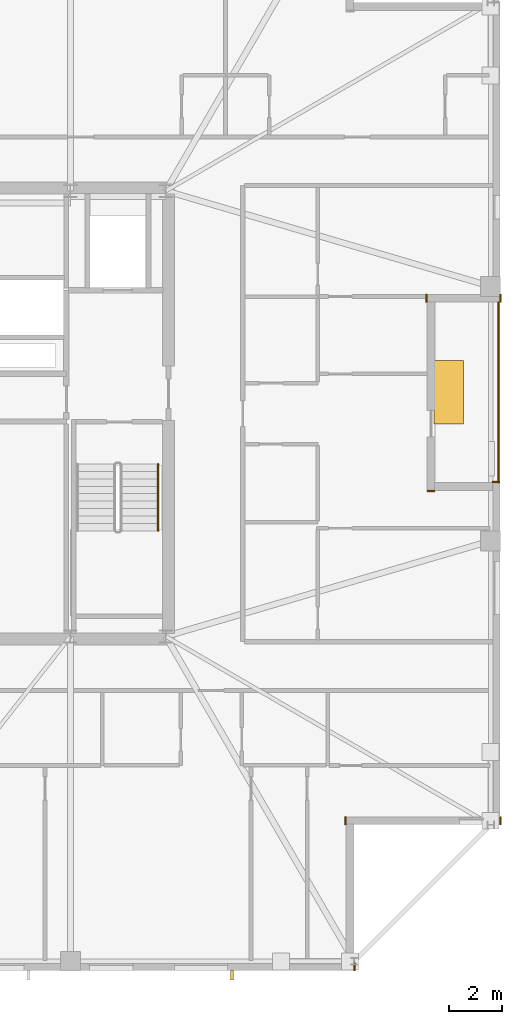
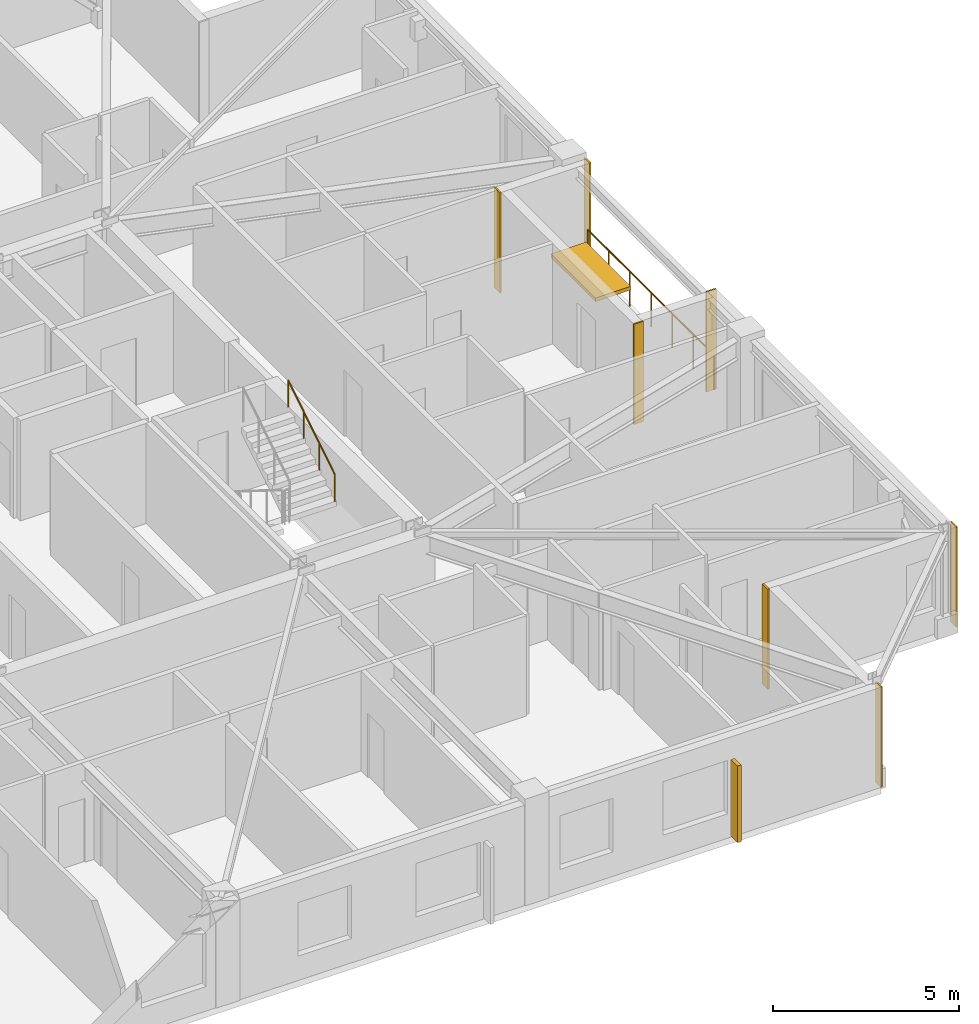
# One storey, part 13 of 14: 7 coverings, 2 railings, 2 shading devices.
"""IFC4 building model written with IfcOpenShell, lengths in metres."""

from ifc_helpers import new_model, si_unit, direction, frame, frame_2d, origin, origin_2d, place, context, subcontext, project, spatial, rectangle, circle, extrude, material, layer, layer_set, type_object, element, save


model = new_model("IFC4")

# Units and contexts
model_context = context("Model", 3, precision=1e-05, world=origin(), true_north=direction((0.0, 1.0)))
body_context = subcontext(model_context, "Body", "Model", "MODEL_VIEW")
ifc_project = project(units=[si_unit("LENGTHUNIT", "METRE"), si_unit("AREAUNIT", "SQUARE_METRE"), si_unit("VOLUMEUNIT", "CUBIC_METRE"), si_unit("PLANEANGLEUNIT", "RADIAN"), si_unit("MASSUNIT", "GRAM", prefix="KILO")], contexts=[model_context])

# Site, building, storey
site_placement = place(None, origin())
site = spatial("IfcSite", under=ifc_project, at=site_placement, CompositionType="ELEMENT")
building_placement = place(site_placement, origin())
building = spatial("IfcBuilding", under=site, at=building_placement, Name="Cairnveth Concourse Tower", CompositionType="ELEMENT")
storey_placement = place(building_placement, frame((0.0, 0.0, 308.5)))
storey = spatial("IfcBuildingStorey", under=building, at=storey_placement, Name="L85", CompositionType="ELEMENT", Elevation=308.5)

# Coverings
ifc_material_1 = material(Name="Dressed Melbourne Bluestone Cladding", Category="masonry")
ifc_layer = layer(ifc_material_1, 0.050048828125)
ifc_layer_set = layer_set([ifc_layer], Name="Dressed Melbourne Bluestone Cladding")
covering_type = type_object("IfcCoveringType", Name="DRESSED BLUESTONE PLINTH CLADDING 50", PredefinedType="CLADDING", material=ifc_layer_set)
for number, where, z_axis, x_axis, name in (
    (1, (72.699951171875, 36.419921875, 0.0), (0.0, 0.0, 1.0), (1.0, 0.0, 0.0), "Melbourne Bluestone Corner Quoin L85-1291"),
    (2, (73.02001953125, 23.800048828125, 0.0), (0.0, 0.0, 1.0), (0.0, -1.0, 0.0), "Melbourne Bluestone Corner Quoin L85-1292"),
    (3, (67.179931640625, 23.800048828125, 0.0), (0.0, 0.0, 1.0), (0.0, -1.0, 0.0), "Melbourne Bluestone Corner Quoin L85-1293"),
    (4, (67.52001953125, 18.300048828125, 0.0), (0.0, 0.0, 1.0), (0.0, -1.0, 0.0), "Melbourne Bluestone Corner Quoin L85-1294"),
    (5, (73.02001953125, 43.5, 0.0), (0.0, 0.0, 1.0), (0.0, -1.0, 0.0), "Melbourne Bluestone Corner Quoin L85-1304"),
    (6, (70.22998046875, 43.5, 0.0), (0.0, 0.0, 1.0), (0.0, -1.0, 0.0), "Melbourne Bluestone Corner Quoin L85-1305"),
    (7, (70.25, 36.080078125, 0.0), (0.0, 0.0, 1.0), (1.0, 0.0, 0.0), "Melbourne Bluestone Corner Quoin L85-1306"),
):
    element("IfcCovering", number, at=place(storey_placement, frame(where, z_axis=z_axis, x_axis=x_axis)), inside=storey, type_object=covering_type, Name=name, PredefinedType="CLADDING", context=body_context, shape_type="SweptSolid", body=[
        extrude(rectangle(XDim=0.300048828125, YDim=0.050048828125, at=frame_2d((0.14990234375, 0.0))), origin(), (0.0, 0.0, 1.0), 3.2900390625),
    ])

# Shading devices
ifc_material_2 = material(Name="Architectural Bronze Anodised Aluminium 6063-T6", Category="aluminium")
shading_device_type_1 = type_object("IfcShadingDeviceType", Name="GOTHIC BRONZE VERTICAL LANCET FIN", PredefinedType="USERDEFINED", material=ifc_material_2)
shading_device_1_placement = place(storey_placement, frame((62.8916015625, 17.824951171875, 0.030029296875), z_axis=(0.0, 0.0, 1.0), x_axis=(1.0, 0.0, 0.0)))
element("IfcShadingDevice", 8, at=shading_device_1_placement, inside=storey, type_object=shading_device_type_1, Name="Gothic Bronze Vertical Fin L85-3-1", ObjectType="VERTICAL FIN", PredefinedType="USERDEFINED", context=body_context, shape_type="SweptSolid", body=[
    extrude(rectangle(XDim=0.1201171875, YDim=0.360107421875, at=origin_2d()), origin(), (0.0, 0.0, 1.0), 2.51806640625),
])
shading_device_type_2 = type_object("IfcShadingDeviceType", Name="SPIRAL TERRACE SUNSHADE CANOPY", PredefinedType="USERDEFINED", material=ifc_material_2)
shading_device_2_placement = place(storey_placement, frame((71.070068359375, 39.800048828125, 2.39794921875), z_axis=(0.0, 0.0, 1.0), x_axis=(1.0, 0.0, 0.0)))
element("IfcShadingDevice", 9, at=shading_device_2_placement, inside=storey, type_object=shading_device_type_2, Name="Spiral Terrace Sunshade L85", ObjectType="TERRACE SUNSHADE", PredefinedType="USERDEFINED", context=body_context, shape_type="SweptSolid", body=[
    extrude(rectangle(XDim=1.10009765625, YDim=2.39990234375, at=origin_2d()), origin(), (0.0, 0.0, 1.0), 0.1201171875),
])

# Railings
ifc_material_3 = material(Name="Steel Grade 350", Category="steel")
railing_type_1 = type_object("IfcRailingType", Name="STAIR WALL HANDRAIL 900", PredefinedType="HANDRAIL", material=ifc_material_3)
railing_1_placement = place(storey_placement, frame((60.110107421875, 34.580078125, 1.925048828125)))
element("IfcRailing", 10, at=railing_1_placement, inside=storey, type_object=railing_type_1, Name="L85 ST-2 stair handrail 2", PredefinedType="HANDRAIL", context=body_context, shape_type="SweptSolid", body=[
    extrude(circle(Radius=0.02392578125, at=origin_2d()), frame((0.0, 0.0, 0.8759765625), z_axis=(0.0, 0.848007534815, 0.529984170421), x_axis=(-1.0, 0.0, 0.0)), (0.0, 0.0, 1.0), 2.9716796875),
    extrude(circle(Radius=0.02099609375, at=origin_2d()), origin(), (0.0, 0.0, 1.0), 0.851806640625),
    extrude(circle(Radius=0.02099609375, at=origin_2d()), frame((0.0, 0.840087890625, 0.52490234375)), (0.0, 0.0, 1.0), 0.851806640625),
    extrude(circle(Radius=0.02099609375, at=origin_2d()), frame((0.0, 1.679931640625, 1.050048828125)), (0.0, 0.0, 1.0), 0.851806640625),
    extrude(circle(Radius=0.02099609375, at=origin_2d()), frame((0.0, 2.52001953125, 1.574951171875)), (0.0, 0.0, 1.0), 0.851806640625),
])
railing_type_2 = type_object("IfcRailingType", Name="TERRACE BRONZE BALUSTRADE 1150", PredefinedType="BALUSTRADE", material=ifc_material_2)
railing_2_placement = place(storey_placement, frame((72.93994140625, 36.39990234375, 0.0)))
element("IfcRailing", 11, at=railing_2_placement, inside=storey, type_object=railing_type_2, Name="Terrace Balustrade RL-L85-TERR", PredefinedType="BALUSTRADE", context=body_context, shape_type="SweptSolid", body=[
    extrude(circle(Radius=0.02490234375, at=origin_2d()), frame((0.0, 0.0, 1.125), z_axis=(0.0, 1.0, 0.0), x_axis=(-1.0, 0.0, 0.0)), (0.0, 0.0, 1.0), 6.800048828125),
    extrude(circle(Radius=0.02099609375, at=origin_2d()), origin(), (0.0, 0.0, 1.0), 1.099853515625),
    extrude(circle(Radius=0.02099609375, at=origin_2d()), frame((0.0, 1.13330078125, 0.0)), (0.0, 0.0, 1.0), 1.099853515625),
    extrude(circle(Radius=0.02099609375, at=origin_2d()), frame((0.0, 2.2666015625, 0.0)), (0.0, 0.0, 1.0), 1.099853515625),
    extrude(circle(Radius=0.02099609375, at=origin_2d()), frame((0.0, 3.39990234375, 0.0)), (0.0, 0.0, 1.0), 1.099853515625),
    extrude(circle(Radius=0.02099609375, at=origin_2d()), frame((0.0, 4.533447265625, 0.0)), (0.0, 0.0, 1.0), 1.099853515625),
    extrude(circle(Radius=0.02099609375, at=origin_2d()), frame((0.0, 5.666748046875, 0.0)), (0.0, 0.0, 1.0), 1.099853515625),
    extrude(circle(Radius=0.02099609375, at=origin_2d()), frame((0.0, 6.800048828125, 0.0)), (0.0, 0.0, 1.0), 1.099853515625),
])

save(model, "model.ifc")
